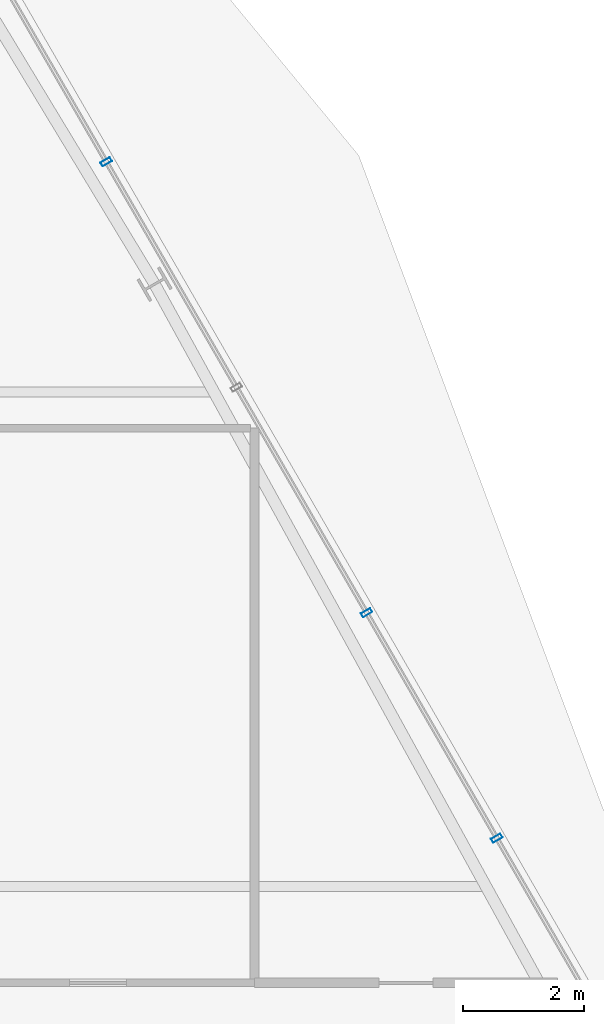
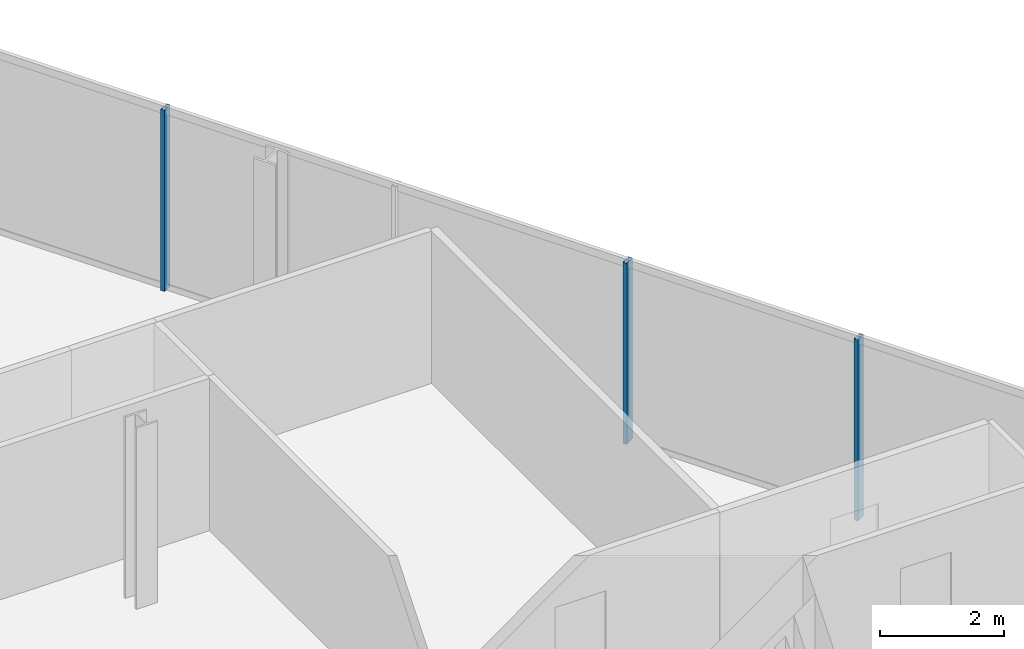
# One storey, part 21 of 37: 3 members, 1 element without a shape of its own.
"""IFC4 building model written with IfcOpenShell, lengths in metres."""

from ifc_helpers import new_model, si_unit, direction, frame, origin, origin_2d, place, context, subcontext, project, spatial, hollow_rectangle, extrude, material, layer, layer_set, material_profile, profile_set, type_object, element, aggregate, save


model = new_model("IFC4")

# Units and contexts
model_context = context("Model", 3, precision=1e-05, world=origin(), true_north=direction((0.0, 1.0)))
body_context = subcontext(model_context, "Body", "Model", "MODEL_VIEW")
ifc_project = project(units=[si_unit("LENGTHUNIT", "METRE"), si_unit("AREAUNIT", "SQUARE_METRE"), si_unit("VOLUMEUNIT", "CUBIC_METRE"), si_unit("PLANEANGLEUNIT", "RADIAN"), si_unit("MASSUNIT", "GRAM", prefix="KILO")], contexts=[model_context])

# Site, building, storey
site_placement = place(None, origin())
site = spatial("IfcSite", under=ifc_project, at=site_placement, CompositionType="ELEMENT")
building_placement = place(site_placement, origin())
building = spatial("IfcBuilding", under=site, at=building_placement, Name="Ndaravel Arena Tower", CompositionType="ELEMENT")
storey_placement = place(building_placement, frame((0.0, 0.0, 218.0)))
storey = spatial("IfcBuildingStorey", under=building, at=storey_placement, Name="L52", CompositionType="ELEMENT", Elevation=218.0)

# Curtain wall, members
ifc_material_1 = material(Name="Aluminium", Category="aluminium")
ifc_layer = layer(ifc_material_1, 0.179931640625)
ifc_layer_set = layer_set([ifc_layer], Name="Aluminium")
curtain_wall_type = type_object("IfcCurtainWallType", Name="CW-SYS-03", PredefinedType="NOTDEFINED", material=ifc_layer_set)
curtain_wall_placement = place(storey_placement, origin())
curtain_wall = element("IfcCurtainWall", 1, at=curtain_wall_placement, inside=storey, type_object=curtain_wall_type, Name="L52 Faceted Crystal Curtain Wall CW-L52-E03", PredefinedType="NOTDEFINED")
ifc_material_2 = material(Name="Aluminium", Category="aluminium")
ifc_material_profile = material_profile(ifc_material_2, hollow_rectangle(XDim=0.074951171875, YDim=0.179931640625, WallThickness=0.00390625, at=origin_2d()), Name="CW MULLION 75x180x4")
ifc_profile_set = profile_set([ifc_material_profile], Name="Aluminium")
member_type = type_object("IfcMemberType", Name="MEM-CW-MUL180", PredefinedType="MULLION", material=ifc_profile_set)
member_1_placement = place(storey_placement, frame((61.0166015625, 19.398193359375, 0.0), z_axis=(0.0, 0.0, 1.0), x_axis=(-0.5, 0.866025403784, 0.0)))
member_1 = element("IfcMember", 2, at=member_1_placement, type_object=member_type, Name="CW-L52-E03 Mullion 02", PredefinedType="MULLION", context=body_context, shape_type="SweptSolid", body=[
    extrude(hollow_rectangle(XDim=0.074951171875, YDim=0.179931640625, WallThickness=0.00390625, at=origin_2d()), origin(), (0.0, 0.0, 1.0), 3.580078125),
])
member_2_placement = place(storey_placement, frame((58.857421875, 23.137939453125, 0.0), z_axis=(0.0, 0.0, 1.0), x_axis=(-0.5, 0.866025403784, 0.0)))
member_2 = element("IfcMember", 3, at=member_2_placement, type_object=member_type, Name="CW-L52-E03 Mullion 03", PredefinedType="MULLION", context=body_context, shape_type="SweptSolid", body=[
    extrude(hollow_rectangle(XDim=0.074951171875, YDim=0.179931640625, WallThickness=0.00390625, at=origin_2d()), origin(), (0.0, 0.0, 1.0), 3.580078125),
])
member_3_placement = place(storey_placement, frame((54.538818359375, 30.617919921875, 0.0), z_axis=(0.0, 0.0, 1.0), x_axis=(-0.5, 0.866025403784, 0.0)))
member_3 = element("IfcMember", 4, at=member_3_placement, type_object=member_type, Name="CW-L52-E03 Mullion 05", PredefinedType="MULLION", context=body_context, shape_type="SweptSolid", body=[
    extrude(hollow_rectangle(XDim=0.074951171875, YDim=0.179931640625, WallThickness=0.00390625, at=origin_2d()), origin(), (0.0, 0.0, 1.0), 3.580078125),
])
aggregate(curtain_wall, [member_1, member_2, member_3])

save(model, "model.ifc")
